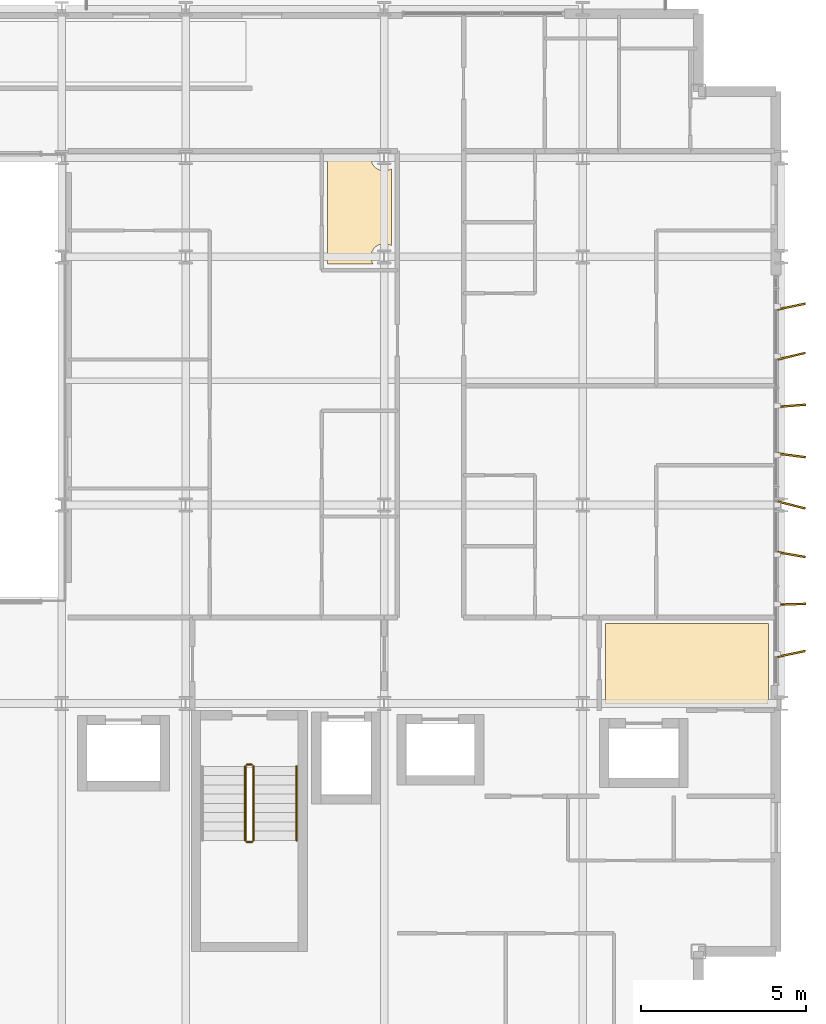
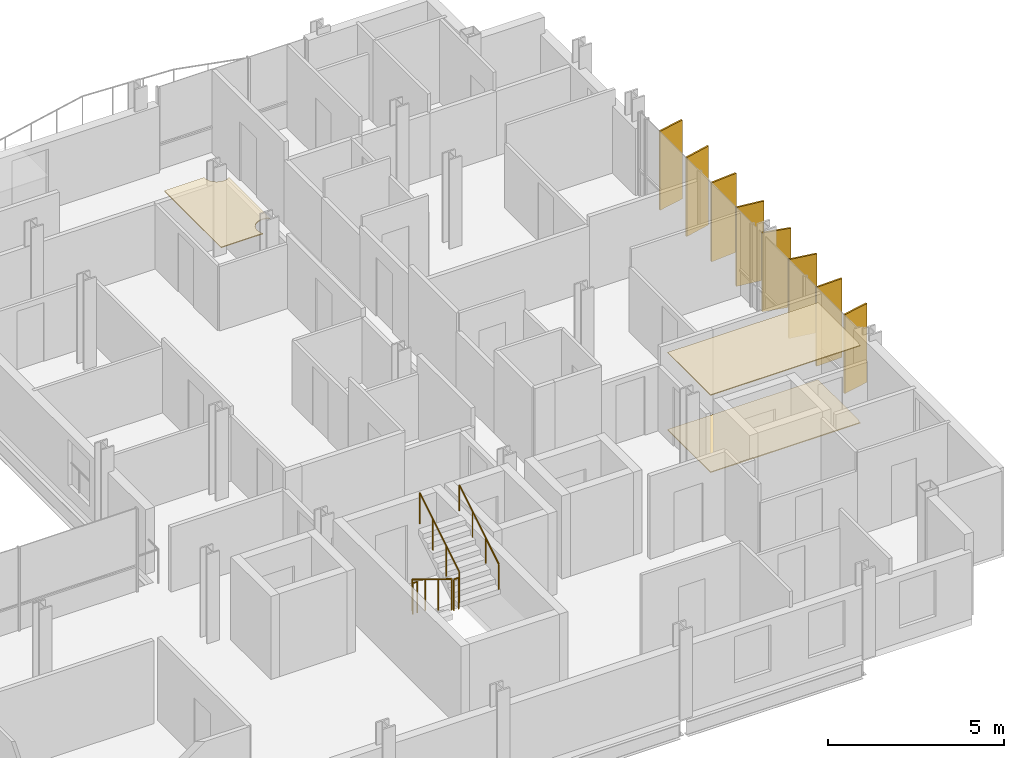
# One storey, part 38 of 39: 8 shading devices, 5 railings, 3 coverings.
"""IFC4 building model written with IfcOpenShell, lengths in metres."""

from ifc_helpers import new_model, si_unit, direction, frame, origin, origin_2d, place, context, subcontext, project, spatial, polyline, rectangle, circle, outline, extrude, material, layer, layer_set, type_object, element, save


model = new_model("IFC4")

# Units and contexts
model_context = context("Model", 3, precision=1e-05, world=origin(), true_north=direction((0.0, 1.0)))
body_context = subcontext(model_context, "Body", "Model", "MODEL_VIEW")
ifc_project = project(units=[si_unit("LENGTHUNIT", "METRE"), si_unit("AREAUNIT", "SQUARE_METRE"), si_unit("VOLUMEUNIT", "CUBIC_METRE"), si_unit("PLANEANGLEUNIT", "RADIAN"), si_unit("MASSUNIT", "GRAM", prefix="KILO")], contexts=[model_context])

# Site, building, storey
site_placement = place(None, origin())
site = spatial("IfcSite", under=ifc_project, at=site_placement, CompositionType="ELEMENT")
building_placement = place(site_placement, origin())
building = spatial("IfcBuilding", under=site, at=building_placement, Name="Brevholm Reach", CompositionType="ELEMENT")
storey_placement = place(building_placement, frame((0.0, 0.0, 109.699951171875)))
storey = spatial("IfcBuildingStorey", under=building, at=storey_placement, Name="L32", CompositionType="ELEMENT", Elevation=109.699951171875)

# Coverings
ifc_material_1 = material(Name="Moisture-Resistant Skimmed Gypsum Plasterboard Ceiling", Category="gypsum")
ifc_layer_1 = layer(ifc_material_1, 0.030029296875)
ifc_layer_set_1 = layer_set([ifc_layer_1], Name="Moisture-Resistant Skimmed Gypsum Plasterboard Ceiling")
covering_type_1 = type_object("IfcCoveringType", Name="COV-CLG-GYP", PredefinedType="CEILING", material=ifc_layer_set_1)
covering_1_placement = place(storey_placement, frame((0.0, 0.0, 2.679931640625)))
element("IfcCovering", 1, at=covering_1_placement, inside=storey, type_object=covering_type_1, Name="L32 Suspended Ceiling L32-34", PredefinedType="CEILING", context=body_context, shape_type="SweptSolid", body=[
    extrude(outline(polyline([(59.6201171875, 12.419921875), (59.6201171875, 10.123779296875), (59.6171875, 10.1162109375), (59.607666015625, 10.077880859375), (59.601806640625, 10.039306640625), (59.60009765625, 10.0), (59.60107421875, 9.97998046875), (54.68408203125, 9.97998046875), (54.68408203125, 12.419921875), (59.6201171875, 12.419921875)])), origin(), (0.0, 0.0, 1.0), 0.030029296875),
])
covering_2_placement = place(storey_placement, frame((0.0, 0.0, 2.679931640625)))
element("IfcCovering", 2, at=covering_2_placement, inside=storey, type_object=covering_type_1, Name="L32 Suspended Ceiling L32-59", PredefinedType="CEILING", context=body_context, shape_type="SweptSolid", body=[
    extrude(outline(polyline([(46.2919921875, 26.51611328125), (47.600830078125, 26.51611328125), (47.60009765625, 26.5), (47.601806640625, 26.460693359375), (47.607666015625, 26.422119140625), (47.6171875, 26.3837890625), (47.63037109375, 26.346923828125), (47.647216796875, 26.311279296875), (47.66748046875, 26.27783203125), (47.69091796875, 26.24609375), (47.71728515625, 26.21728515625), (47.74609375, 26.19091796875), (47.77783203125, 26.16748046875), (47.811279296875, 26.147216796875), (47.846923828125, 26.13037109375), (47.8837890625, 26.1171875), (47.922119140625, 26.107666015625), (47.960693359375, 26.101806640625), (48.0, 26.10009765625), (48.039306640625, 26.101806640625), (48.077880859375, 26.107666015625), (48.1162109375, 26.1171875), (48.153076171875, 26.13037109375), (48.188720703125, 26.147216796875), (48.216064453125, 26.163818359375), (48.216064453125, 23.836181640625), (48.188720703125, 23.852783203125), (48.153076171875, 23.86962890625), (48.1162109375, 23.8828125), (48.077880859375, 23.892333984375), (48.039306640625, 23.898193359375), (48.0, 23.89990234375), (47.960693359375, 23.898193359375), (47.922119140625, 23.892333984375), (47.8837890625, 23.8828125), (47.846923828125, 23.86962890625), (47.811279296875, 23.852783203125), (47.77783203125, 23.83251953125), (47.74609375, 23.80908203125), (47.71728515625, 23.78271484375), (47.69091796875, 23.75390625), (47.66748046875, 23.72216796875), (47.647216796875, 23.688720703125), (47.63037109375, 23.653076171875), (47.6171875, 23.6162109375), (47.607666015625, 23.577880859375), (47.601806640625, 23.539306640625), (47.60009765625, 23.5), (47.601806640625, 23.460693359375), (47.607666015625, 23.422119140625), (47.6171875, 23.3837890625), (47.63037109375, 23.346923828125), (47.647216796875, 23.311279296875), (47.666015625, 23.280029296875), (46.2919921875, 23.280029296875), (46.2919921875, 26.51611328125)])), origin(), (0.0, 0.0, 1.0), 0.030029296875),
])
ifc_material_2 = material(Name="Honed Portland-Aggregate Resin Terrazzo Flooring", Category="concrete")
ifc_layer_2 = layer(ifc_material_2, 0.031982421875)
ifc_layer_set_2 = layer_set([ifc_layer_2], Name="Honed Portland-Aggregate Resin Terrazzo Flooring")
covering_type_2 = type_object("IfcCoveringType", Name="COV-FLR-TRZ", PredefinedType="FLOORING", material=ifc_layer_set_2)
covering_3_placement = place(storey_placement, origin())
element("IfcCovering", 3, at=covering_3_placement, inside=storey, type_object=covering_type_2, Name="L32 Floor Finish L32-34", PredefinedType="FLOORING", context=body_context, shape_type="SweptSolid", body=[
    extrude(outline(polyline([(59.6201171875, 12.419921875), (59.6201171875, 10.123779296875), (59.6171875, 10.1162109375), (59.607666015625, 10.077880859375), (59.601806640625, 10.039306640625), (59.60009765625, 10.0), (59.60107421875, 9.97998046875), (54.68408203125, 9.97998046875), (54.68408203125, 12.419921875), (59.6201171875, 12.419921875)])), origin(), (0.0, 0.0, 1.0), 0.031982421875),
])

# Railings
ifc_material_3 = material(Name="Brushed Stainless Steel EN 1.4401 Continuous Handrail", Category="steel")
railing_type_1 = type_object("IfcRailingType", Name="RAL-HND-950", PredefinedType="HANDRAIL", material=ifc_material_3)
railing_1_placement = place(storey_placement, frame((45.35009765625, 5.860107421875, 1.72216796875)))
element("IfcRailing", 4, at=railing_1_placement, inside=storey, type_object=railing_type_1, Name="L32 ST-2 stair handrail 2", PredefinedType="HANDRAIL", context=body_context, shape_type="SweptSolid", body=[
    extrude(circle(Radius=0.02392578125, at=origin_2d()), frame((0.0, 0.0, 0.8857421875), z_axis=(0.0, 0.851747552033, 0.523952390591), x_axis=(-1.0, 0.0, 0.0)), (0.0, 0.0, 1.0), 2.6298828125),
    extrude(circle(Radius=0.02099609375, at=origin_2d()), origin(), (0.0, 0.0, 1.0), 0.86181640625),
    extrude(circle(Radius=0.02099609375, at=origin_2d()), frame((0.0, 0.74658203125, 0.459228515625)), (0.0, 0.0, 1.0), 0.86181640625),
    extrude(circle(Radius=0.02099609375, at=origin_2d()), frame((0.0, 1.493408203125, 0.918701171875)), (0.0, 0.0, 1.0), 0.86181640625),
    extrude(circle(Radius=0.02099609375, at=origin_2d()), frame((0.0, 2.239990234375, 1.3779296875)), (0.0, 0.0, 1.0), 0.86181640625),
])
ifc_material_4 = material(Name="Painted Tubular Galvanised Steel S275JR Stair Guard", Category="steel")
railing_type_2 = type_object("IfcRailingType", Name="RAL-STG-1120", PredefinedType="BALUSTRADE", material=ifc_material_4)
railing_2_placement = place(storey_placement, frame((43.800048828125, 8.10009765625, 0.17236328125)))
element("IfcRailing", 5, at=railing_2_placement, inside=storey, type_object=railing_type_2, Name="L32 ST-2 stair guard 1", PredefinedType="BALUSTRADE", context=body_context, shape_type="SweptSolid", body=[
    extrude(circle(Radius=0.02392578125, at=origin_2d()), frame((0.0, 0.0, 1.076171875), z_axis=(0.0, -0.85178898068, 0.523885037382), x_axis=(1.0, 0.0, 0.0)), (0.0, 0.0, 1.0), 2.629638671875),
    extrude(circle(Radius=0.02099609375, at=origin_2d()), origin(), (0.0, 0.0, 1.0), 1.052001953125),
    extrude(circle(Radius=0.02099609375, at=origin_2d()), frame((0.0, -0.74658203125, 0.459228515625)), (0.0, 0.0, 1.0), 1.052001953125),
    extrude(circle(Radius=0.02099609375, at=origin_2d()), frame((0.0, -1.493408203125, 0.91845703125)), (0.0, 0.0, 1.0), 1.052001953125),
    extrude(circle(Radius=0.02099609375, at=origin_2d()), frame((0.0, -2.239990234375, 1.377685546875)), (0.0, 0.0, 1.0), 1.052001953125),
])
railing_3_placement = place(storey_placement, frame((43.85009765625, 5.81005859375, 1.550048828125)))
element("IfcRailing", 6, at=railing_3_placement, inside=storey, type_object=railing_type_2, Name="L32 ST-2 stair guard 2", PredefinedType="BALUSTRADE", context=body_context, shape_type="SweptSolid", body=[
    extrude(circle(Radius=0.02392578125, at=origin_2d()), frame((0.0, 0.0, 1.076171875), z_axis=(1.0, 0.0, 0.0), x_axis=(0.0, 1.0, 0.0)), (0.0, 0.0, 1.0), 0.14990234375),
    extrude(circle(Radius=0.02099609375, at=origin_2d()), origin(), (0.0, 0.0, 1.0), 1.052001953125),
    extrude(circle(Radius=0.02099609375, at=origin_2d()), frame((0.14990234375, 0.0, 0.0)), (0.0, 0.0, 1.0), 1.052001953125),
])
railing_4_placement = place(storey_placement, frame((44.050048828125, 5.860107421875, 1.72216796875)))
element("IfcRailing", 7, at=railing_4_placement, inside=storey, type_object=railing_type_2, Name="L32 ST-2 stair guard 3", PredefinedType="BALUSTRADE", context=body_context, shape_type="SweptSolid", body=[
    extrude(circle(Radius=0.02392578125, at=origin_2d()), frame((0.0, 0.0, 1.076171875), z_axis=(0.0, 0.851747552033, 0.523952390591), x_axis=(-1.0, 0.0, 0.0)), (0.0, 0.0, 1.0), 2.6298828125),
    extrude(circle(Radius=0.02099609375, at=origin_2d()), origin(), (0.0, 0.0, 1.0), 1.052001953125),
    extrude(circle(Radius=0.02099609375, at=origin_2d()), frame((0.0, 0.74658203125, 0.459228515625)), (0.0, 0.0, 1.0), 1.052001953125),
    extrude(circle(Radius=0.02099609375, at=origin_2d()), frame((0.0, 1.493408203125, 0.918701171875)), (0.0, 0.0, 1.0), 1.052001953125),
    extrude(circle(Radius=0.02099609375, at=origin_2d()), frame((0.0, 2.239990234375, 1.3779296875)), (0.0, 0.0, 1.0), 1.052001953125),
])
railing_5_placement = place(storey_placement, frame((43.85009765625, 8.14990234375, 0.0)))
element("IfcRailing", 8, at=railing_5_placement, inside=storey, type_object=railing_type_2, Name="L32 ST-2 stair guard 4", PredefinedType="BALUSTRADE", context=body_context, shape_type="SweptSolid", body=[
    extrude(circle(Radius=0.02392578125, at=origin_2d()), frame((0.0, 0.0, 1.076171875), z_axis=(1.0, 0.0, 0.0), x_axis=(0.0, 1.0, 0.0)), (0.0, 0.0, 1.0), 0.14990234375),
    extrude(circle(Radius=0.02099609375, at=origin_2d()), origin(), (0.0, 0.0, 1.0), 1.052001953125),
    extrude(circle(Radius=0.02099609375, at=origin_2d()), frame((0.14990234375, 0.0, 0.0)), (0.0, 0.0, 1.0), 1.052001953125),
])

# Shading devices
ifc_material_5 = material(Name="Perforated Champagne-Bronze Anodised Aluminium", Category="aluminium")
ifc_layer_3 = layer(ifc_material_5, 0.054931640625)
ifc_layer_set_3 = layer_set([ifc_layer_3], Name="Perforated Champagne-Bronze Anodised Aluminium")
shading_device_type = type_object("IfcShadingDeviceType", Name="SHD-FIN-850", PredefinedType="USERDEFINED", material=ifc_layer_set_3)
for number, where, z_axis, x_axis, name in (
    (9, (60.31494140625, 11.5, 0.06982421875), (0.0, 0.0, 1.0), (0.978498186935, 0.206255419725, 0.0), "L32 Perforated Solar Screen Fin 1"),
    (10, (60.31494140625, 13.0, 0.06982421875), (0.0, 0.0, 1.0), (0.999580832918, 0.028950966515, 0.0), "L32 Perforated Solar Screen Fin 2"),
    (11, (60.31494140625, 14.5, 0.06982421875), (0.0, 0.0, 1.0), (0.98530672064, -0.170794221981, 0.0), "L32 Perforated Solar Screen Fin 3"),
    (12, (60.31494140625, 16.0, 0.06982421875), (0.0, 0.0, 1.0), (0.970624169075, -0.240600753131, 0.0), "L32 Perforated Solar Screen Fin 4"),
    (13, (60.31494140625, 17.5, 0.06982421875), (0.0, 0.0, 1.0), (0.991385528389, -0.130976082172, 0.0), "L32 Perforated Solar Screen Fin 5"),
    (14, (60.31494140625, 19.0, 0.06982421875), (0.0, 0.0, 1.0), (0.996866459196, 0.079102860448, 0.0), "L32 Perforated Solar Screen Fin 6"),
    (15, (60.31494140625, 20.5, 0.06982421875), (0.0, 0.0, 1.0), (0.973642632504, 0.228078986692, 0.0), "L32 Perforated Solar Screen Fin 7"),
    (16, (60.31494140625, 22.0, 0.06982421875), (0.0, 0.0, 1.0), (0.978498186935, 0.206255419725, 0.0), "L32 Perforated Solar Screen Fin 8"),
):
    element("IfcShadingDevice", number, at=place(storey_placement, frame(where, z_axis=z_axis, x_axis=x_axis)), inside=storey, type_object=shading_device_type, Name=name, ObjectType="SCREEN", PredefinedType="USERDEFINED", context=body_context, shape_type="SweptSolid", body=[
        extrude(rectangle(XDim=0.85009765625, YDim=0.054931640625, at=origin_2d()), origin(), (0.0, 0.0, 1.0), 2.739990234375),
    ])

save(model, "model.ifc")
